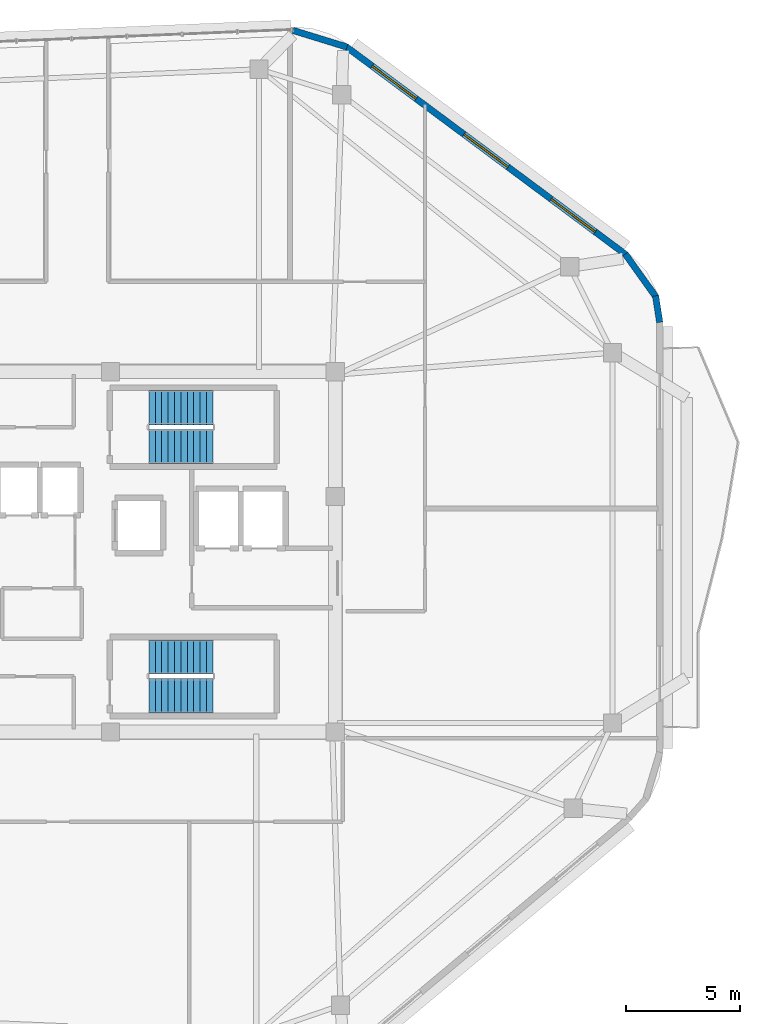
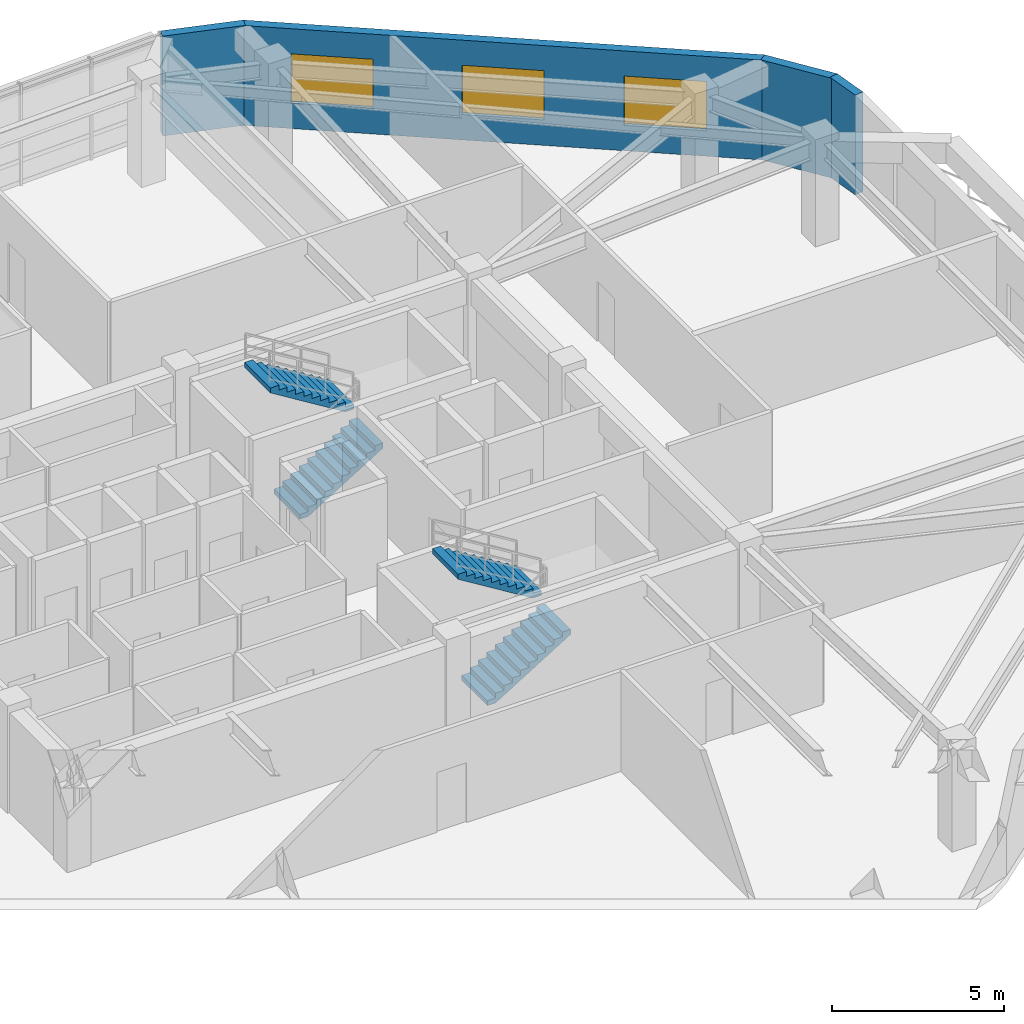
# One storey, part 9 of 12: 4 stair flights, 4 walls, 3 windows, 3 openings, 2 elements without a shape of their own.
"""IFC4 building model written with IfcOpenShell, lengths in metres."""

from ifc_helpers import new_model, si_unit, direction, frame, frame_2d, origin, place, context, subcontext, project, spatial, polyline, rectangle, outline, extrude, material, layer, layer_set, type_object, element, fill, aggregate, save


model = new_model("IFC4")

# Units and contexts
model_context = context("Model", 3, precision=1e-05, world=origin(), true_north=direction((0.0, 1.0)))
body_context = subcontext(model_context, "Body", "Model", "MODEL_VIEW")
ifc_project = project(units=[si_unit("LENGTHUNIT", "METRE"), si_unit("AREAUNIT", "SQUARE_METRE"), si_unit("VOLUMEUNIT", "CUBIC_METRE"), si_unit("PLANEANGLEUNIT", "RADIAN"), si_unit("MASSUNIT", "GRAM", prefix="KILO")], contexts=[model_context])

# Site, building, storey
site_placement = place(None, origin())
site = spatial("IfcSite", under=ifc_project, at=site_placement, CompositionType="ELEMENT")
building_placement = place(site_placement, origin())
building = spatial("IfcBuilding", under=site, at=building_placement, Name="Zulverin Broadcast Headquarters", CompositionType="ELEMENT")
storey_placement = place(building_placement, frame((0.0, 0.0, 285.800048828125)))
storey = spatial("IfcBuildingStorey", under=building, at=storey_placement, Name="L73", CompositionType="ELEMENT", Elevation=285.800048828125)

# Wall, openings, windows
ifc_material_1 = material(Name="Insulated pale-metal clad concrete spandrel C40/50", Category="concrete")
ifc_layer = layer(ifc_material_1, 0.280029296875, Name="Insulated pale-metal clad concrete spandrel C40/50", Category="concrete")
ifc_layer_set = layer_set([ifc_layer], Name="Insulated pale-metal clad concrete spandrel C40/50")
wall_type = type_object("IfcWallType", Name="WL-EXT-280", PredefinedType="STANDARD", material=ifc_layer_set)
wall_1_placement = place(storey_placement, frame((60.98388671875, 38.187255859375, 0.0), z_axis=(0.0, 0.0, 1.0), x_axis=(-0.802485144343, 0.596672098484, 0.0)))
wall_1 = element("IfcWall", 1, at=wall_1_placement, inside=storey, type_object=wall_type, Name="L73 Pale-Metal Clad Spandrel Wall 4", PredefinedType="STANDARD", context=body_context, shape_type="SweptSolid", body=[
    extrude(rectangle(XDim=15.247802734375, YDim=0.280029296875, at=frame_2d((7.6240234375, 0.0))), origin(), (0.0, 0.0, 1.0), 3.5400390625),
])
opening_1_placement = place(wall_1_placement, frame((1.674560546875, 0.0, 0.89990234375)))
opening_1 = element("IfcOpeningElement", 2, at=opening_1_placement, cuts=wall_1, Name="Opening W-L73-E41", PredefinedType="OPENING", context=body_context, shape_type="SweptSolid", body=[
    extrude(rectangle(XDim=2.39990234375, YDim=1.75, at=frame_2d((1.199951171875, 0.875))), frame((0.0, 0.14990234375, 0.0), z_axis=(0.0, -1.0, 0.0), x_axis=(1.0, 0.0, 0.0)), (0.0, 0.0, 1.0), 0.300048828125),
])
opening_2_placement = place(wall_1_placement, frame((6.423828125, 0.0, 0.89990234375)))
opening_2 = element("IfcOpeningElement", 3, at=opening_2_placement, cuts=wall_1, Name="Opening W-L73-E42", PredefinedType="OPENING", context=body_context, shape_type="SweptSolid", body=[
    extrude(rectangle(XDim=2.39990234375, YDim=1.75, at=frame_2d((1.199951171875, 0.875))), frame((0.0, 0.14990234375, 0.0), z_axis=(0.0, -1.0, 0.0), x_axis=(1.0, 0.0, 0.0)), (0.0, 0.0, 1.0), 0.300048828125),
])
opening_3_placement = place(wall_1_placement, frame((11.423095703125, 0.0, 0.89990234375)))
opening_3 = element("IfcOpeningElement", 4, at=opening_3_placement, cuts=wall_1, Name="Opening W-L73-E43", PredefinedType="OPENING", context=body_context, shape_type="SweptSolid", body=[
    extrude(rectangle(XDim=2.39990234375, YDim=1.75, at=frame_2d((1.199951171875, 0.875))), frame((0.0, 0.14990234375, 0.0), z_axis=(0.0, -1.0, 0.0), x_axis=(1.0, 0.0, 0.0)), (0.0, 0.0, 1.0), 0.300048828125),
])
ifc_material_2 = material(Name="Pale anodized aluminium frame with solar-control low-E double glazing", Category="aluminium")
window_type = type_object("IfcWindowType", Name="WIN-RIB-2400", PartitioningType="SINGLE_PANEL", PredefinedType="WINDOW", material=ifc_material_2)
window_1_placement = place(opening_1_placement, origin())
window_1 = element("IfcWindow", 5, at=window_1_placement, inside=storey, type_object=window_type, Name="L73 Ribbon Glazing Window 4 1", OverallHeight=1.75, OverallWidth=2.39990234375, PartitioningType="SINGLE_PANEL", PredefinedType="WINDOW", context=body_context, shape_type="SweptSolid", body=[
    extrude(rectangle(XDim=2.39990234375, YDim=1.75, at=frame_2d((1.199951171875, 0.875))), frame((0.0, 0.030029296875, 0.0), z_axis=(0.0, -1.0, 0.0), x_axis=(1.0, 0.0, 0.0)), (0.0, 0.0, 1.0), 0.06005859375),
])
fill(opening_1, window_1)
window_2_placement = place(opening_2_placement, origin())
window_2 = element("IfcWindow", 6, at=window_2_placement, inside=storey, type_object=window_type, Name="L73 Ribbon Glazing Window 4 2", OverallHeight=1.75, OverallWidth=2.39990234375, PartitioningType="SINGLE_PANEL", PredefinedType="WINDOW", context=body_context, shape_type="SweptSolid", body=[
    extrude(rectangle(XDim=2.39990234375, YDim=1.75, at=frame_2d((1.199951171875, 0.875))), frame((0.0, 0.030029296875, 0.0), z_axis=(0.0, -1.0, 0.0), x_axis=(1.0, 0.0, 0.0)), (0.0, 0.0, 1.0), 0.06005859375),
])
fill(opening_2, window_2)
window_3_placement = place(opening_3_placement, origin())
window_3 = element("IfcWindow", 7, at=window_3_placement, inside=storey, type_object=window_type, Name="L73 Ribbon Glazing Window 4 3", OverallHeight=1.75, OverallWidth=2.39990234375, PartitioningType="SINGLE_PANEL", PredefinedType="WINDOW", context=body_context, shape_type="SweptSolid", body=[
    extrude(rectangle(XDim=2.39990234375, YDim=1.75, at=frame_2d((1.199951171875, 0.875))), frame((0.0, 0.030029296875, 0.0), z_axis=(0.0, -1.0, 0.0), x_axis=(1.0, 0.0, 0.0)), (0.0, 0.0, 1.0), 0.06005859375),
])
fill(opening_3, window_3)

# Walls
wall_2_placement = place(storey_placement, frame((62.461669921875, 35.228515625, 0.0), z_axis=(0.0, 0.0, 1.0), x_axis=(-0.15458604025, 0.987979329824, 0.0)))
element("IfcWall", 8, at=wall_2_placement, inside=storey, type_object=wall_type, Name="L73 Wind-Shaped Corner Spandrel Wall 3-1", PredefinedType="STANDARD", context=body_context, shape_type="SweptSolid", body=[
    extrude(rectangle(XDim=1.175048828125, YDim=0.280029296875, at=frame_2d((0.58740234375, 0.0))), origin(), (0.0, 0.0, 1.0), 3.5400390625),
])
wall_3_placement = place(storey_placement, frame((62.304443359375, 36.32958984375, 0.0), z_axis=(0.0, 0.0, 1.0), x_axis=(-0.581795068472, 0.81333541562, 0.0)))
element("IfcWall", 9, at=wall_3_placement, inside=storey, type_object=wall_type, Name="L73 Wind-Shaped Corner Spandrel Wall 3-2", PredefinedType="STANDARD", context=body_context, shape_type="SweptSolid", body=[
    extrude(rectangle(XDim=2.32177734375, YDim=0.280029296875, at=frame_2d((1.160888671875, 0.0))), origin(), (0.0, 0.0, 1.0), 3.5400390625),
])
wall_4_placement = place(storey_placement, frame((48.7900390625, 47.263671875, 0.0), z_axis=(0.0, 0.0, 1.0), x_axis=(-0.955575823363, 0.294745391489, 0.0)))
element("IfcWall", 10, at=wall_4_placement, inside=storey, type_object=wall_type, Name="L73 Wind-Shaped Corner Spandrel Wall 4-1", PredefinedType="STANDARD", context=body_context, shape_type="SweptSolid", body=[
    extrude(rectangle(XDim=2.470947265625, YDim=0.280029296875, at=frame_2d((1.2353515625, 0.0))), origin(), (0.0, 0.0, 1.0), 3.5400390625),
])

# Stair, stair flights
ifc_material_3 = material(Name="Concrete C40/50", Category="concrete")
stair_type = type_object("IfcStairType", Name="ST-CORE-1500", PredefinedType="HALF_TURN_STAIR", material=ifc_material_3)
stair_1_placement = place(storey_placement, origin())
stair_1 = element("IfcStair", 11, at=stair_1_placement, inside=storey, type_object=stair_type, Name="L73 Core Exit Stair ST-1", PredefinedType="HALF_TURN_STAIR")
stair_flight_type = type_object("IfcStairFlightType", Name="SF-CORE-1500", PredefinedType="STRAIGHT", material=ifc_material_3)
stair_flight_1_placement = place(storey_placement, frame((40.1298828125, 29.800048828125, 0.0), z_axis=(0.0, 0.0, 1.0), x_axis=(1.0, 0.0, 0.0)))
stair_flight_1 = element("IfcStairFlight", 12, at=stair_flight_1_placement, type_object=stair_flight_type, Name="ST-1 flight 1", NumberOfRisers=11, NumberOfTreads=10, PredefinedType="STRAIGHT", RiserHeight=0.172727273, TreadLength=0.28, context=body_context, shape_type="SweptSolid", body=[
    extrude(outline(polyline([(0.0, 0.0), (0.0, 0.172607421875), (0.280029296875, 0.172607421875), (0.280029296875, 0.345458984375), (0.56005859375, 0.345458984375), (0.56005859375, 0.51806640625), (0.840087890625, 0.51806640625), (0.840087890625, 0.69091796875), (1.1201171875, 0.69091796875), (1.1201171875, 0.863525390625), (1.39990234375, 0.863525390625), (1.39990234375, 1.036376953125), (1.679931640625, 1.036376953125), (1.679931640625, 1.208984375), (1.9599609375, 1.208984375), (1.9599609375, 1.3818359375), (2.239990234375, 1.3818359375), (2.239990234375, 1.554443359375), (2.52001953125, 1.554443359375), (2.52001953125, 1.727294921875), (2.800048828125, 1.727294921875), (2.800048828125, 1.89990234375), (2.800048828125, 1.551025390625), (0.285400390625, 0.0), (0.0, 0.0)])), frame((0.0, 0.75, 0.0), z_axis=(0.0, -1.0, 0.0), x_axis=(1.0, 0.0, 0.0)), (0.0, 0.0, 1.0), 1.5),
])
stair_flight_2_placement = place(storey_placement, frame((42.929931640625, 31.5, 1.89990234375), z_axis=(0.0, 0.0, 1.0), x_axis=(-1.0, 0.0, 0.0)))
stair_flight_2 = element("IfcStairFlight", 13, at=stair_flight_2_placement, type_object=stair_flight_type, Name="ST-1 flight 2", NumberOfRisers=11, NumberOfTreads=10, PredefinedType="STRAIGHT", RiserHeight=0.172727273, TreadLength=0.28, context=body_context, shape_type="SweptSolid", body=[
    extrude(outline(polyline([(0.0, 0.0), (0.0, 0.172607421875), (0.280029296875, 0.172607421875), (0.280029296875, 0.345458984375), (0.56005859375, 0.345458984375), (0.56005859375, 0.51806640625), (0.840087890625, 0.51806640625), (0.840087890625, 0.69091796875), (1.1201171875, 0.69091796875), (1.1201171875, 0.863525390625), (1.39990234375, 0.863525390625), (1.39990234375, 1.036376953125), (1.679931640625, 1.036376953125), (1.679931640625, 1.208984375), (1.9599609375, 1.208984375), (1.9599609375, 1.3818359375), (2.239990234375, 1.3818359375), (2.239990234375, 1.554443359375), (2.52001953125, 1.554443359375), (2.52001953125, 1.727294921875), (2.800048828125, 1.727294921875), (2.800048828125, 1.89990234375), (2.800048828125, 1.551025390625), (0.285400390625, 0.0), (0.0, 0.0)])), frame((0.0, 0.75, 0.0), z_axis=(0.0, -1.0, 0.0), x_axis=(1.0, 0.0, 0.0)), (0.0, 0.0, 1.0), 1.5),
])
aggregate(stair_1, [stair_flight_1, stair_flight_2])

stair_2_placement = place(storey_placement, origin())
stair_2 = element("IfcStair", 14, at=stair_2_placement, inside=storey, type_object=stair_type, Name="L73 Core Exit Stair ST-2", PredefinedType="HALF_TURN_STAIR")
stair_flight_3_placement = place(storey_placement, frame((40.1298828125, 18.89990234375, 0.0), z_axis=(0.0, 0.0, 1.0), x_axis=(1.0, 0.0, 0.0)))
stair_flight_3 = element("IfcStairFlight", 15, at=stair_flight_3_placement, type_object=stair_flight_type, Name="ST-2 flight 1", NumberOfRisers=11, NumberOfTreads=10, PredefinedType="STRAIGHT", RiserHeight=0.172727273, TreadLength=0.28, context=body_context, shape_type="SweptSolid", body=[
    extrude(outline(polyline([(0.0, 0.0), (0.0, 0.172607421875), (0.280029296875, 0.172607421875), (0.280029296875, 0.345458984375), (0.56005859375, 0.345458984375), (0.56005859375, 0.51806640625), (0.840087890625, 0.51806640625), (0.840087890625, 0.69091796875), (1.1201171875, 0.69091796875), (1.1201171875, 0.863525390625), (1.39990234375, 0.863525390625), (1.39990234375, 1.036376953125), (1.679931640625, 1.036376953125), (1.679931640625, 1.208984375), (1.9599609375, 1.208984375), (1.9599609375, 1.3818359375), (2.239990234375, 1.3818359375), (2.239990234375, 1.554443359375), (2.52001953125, 1.554443359375), (2.52001953125, 1.727294921875), (2.800048828125, 1.727294921875), (2.800048828125, 1.89990234375), (2.800048828125, 1.551025390625), (0.285400390625, 0.0), (0.0, 0.0)])), frame((0.0, 0.75, 0.0), z_axis=(0.0, -1.0, 0.0), x_axis=(1.0, 0.0, 0.0)), (0.0, 0.0, 1.0), 1.5),
])
stair_flight_4_placement = place(storey_placement, frame((42.929931640625, 20.60009765625, 1.89990234375), z_axis=(0.0, 0.0, 1.0), x_axis=(-1.0, 0.0, 0.0)))
stair_flight_4 = element("IfcStairFlight", 16, at=stair_flight_4_placement, type_object=stair_flight_type, Name="ST-2 flight 2", NumberOfRisers=11, NumberOfTreads=10, PredefinedType="STRAIGHT", RiserHeight=0.172727273, TreadLength=0.28, context=body_context, shape_type="SweptSolid", body=[
    extrude(outline(polyline([(0.0, 0.0), (0.0, 0.172607421875), (0.280029296875, 0.172607421875), (0.280029296875, 0.345458984375), (0.56005859375, 0.345458984375), (0.56005859375, 0.51806640625), (0.840087890625, 0.51806640625), (0.840087890625, 0.69091796875), (1.1201171875, 0.69091796875), (1.1201171875, 0.863525390625), (1.39990234375, 0.863525390625), (1.39990234375, 1.036376953125), (1.679931640625, 1.036376953125), (1.679931640625, 1.208984375), (1.9599609375, 1.208984375), (1.9599609375, 1.3818359375), (2.239990234375, 1.3818359375), (2.239990234375, 1.554443359375), (2.52001953125, 1.554443359375), (2.52001953125, 1.727294921875), (2.800048828125, 1.727294921875), (2.800048828125, 1.89990234375), (2.800048828125, 1.551025390625), (0.285400390625, 0.0), (0.0, 0.0)])), frame((0.0, 0.75, 0.0), z_axis=(0.0, -1.0, 0.0), x_axis=(1.0, 0.0, 0.0)), (0.0, 0.0, 1.0), 1.5),
])
aggregate(stair_2, [stair_flight_3, stair_flight_4])

save(model, "model.ifc")
